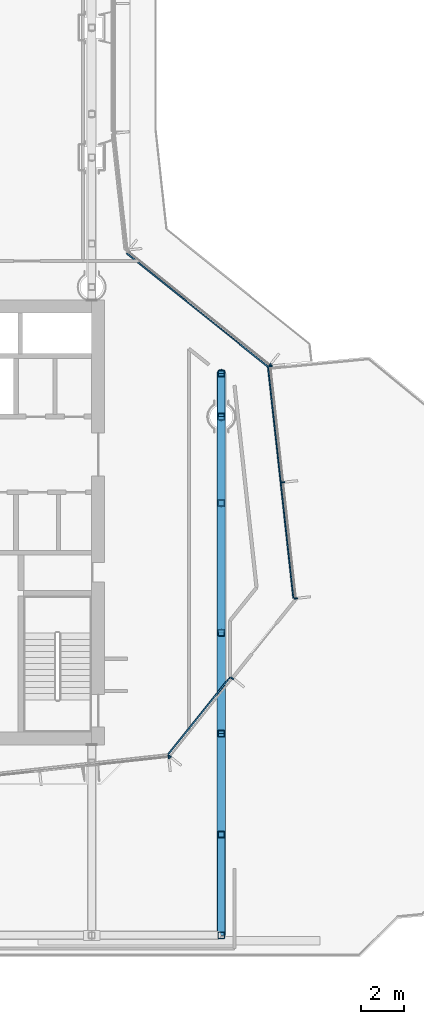
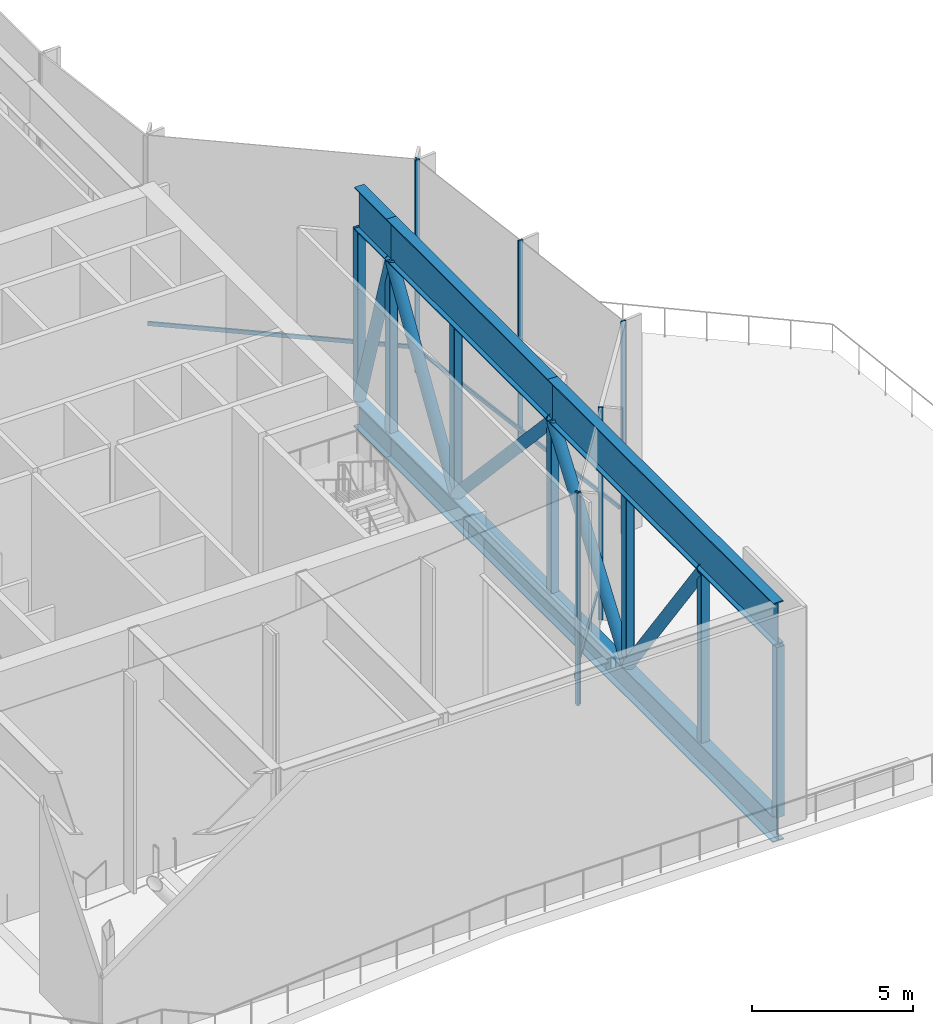
# One storey, part 4 of 22: 27 members, 4 elements without a shape of their own.
"""IFC4 building model written with IfcOpenShell, lengths in metres."""

from ifc_helpers import new_model, si_unit, direction, frame, origin, origin_2d, place, context, subcontext, project, spatial, rectangle, hollow_rectangle, hollow_circle, i_section, extrude, material, layer, layer_set, material_profile, profile_set, type_object, element, aggregate, save


model = new_model("IFC4")

# Units and contexts
model_context = context("Model", 3, precision=1e-05, world=origin(), true_north=direction((0.0, 1.0)))
body_context = subcontext(model_context, "Body", "Model", "MODEL_VIEW")
ifc_project = project(units=[si_unit("LENGTHUNIT", "METRE"), si_unit("AREAUNIT", "SQUARE_METRE"), si_unit("VOLUMEUNIT", "CUBIC_METRE"), si_unit("PLANEANGLEUNIT", "RADIAN"), si_unit("MASSUNIT", "GRAM", prefix="KILO")], contexts=[model_context])

# Site, building, storey
site_placement = place(None, origin())
site = spatial("IfcSite", under=ifc_project, at=site_placement, CompositionType="ELEMENT")
building_placement = place(site_placement, origin())
building = spatial("IfcBuilding", under=site, at=building_placement, Name="Welwitschia Terrace Campus", CompositionType="ELEMENT")
storey_placement = place(building_placement, frame((0.0, 0.0, 197.0)))
storey = spatial("IfcBuildingStorey", under=building, at=storey_placement, Name="L44", CompositionType="ELEMENT", Elevation=197.0)

# Curtain wall, members
ifc_material_1 = material(Name="Bronze anodised aluminium", Category="aluminium")
ifc_layer = layer(ifc_material_1, 0.159912109375)
ifc_layer_set = layer_set([ifc_layer], Name="Bronze anodised aluminium")
curtain_wall_type = type_object("IfcCurtainWallType", Name="Curtain wall CW3 commons 6000", PredefinedType="NOTDEFINED", material=ifc_layer_set)
curtain_wall_1_placement = place(storey_placement, origin())
curtain_wall_1 = element("IfcCurtainWall", 1, at=curtain_wall_1_placement, inside=storey, type_object=curtain_wall_type, Name="CW L44.0.0", PredefinedType="NOTDEFINED")
ifc_material_2 = material(Name="Bronze anodised aluminium", Category="aluminium")
ifc_material_profile_1 = material_profile(ifc_material_2, rectangle(XDim=0.159912109375, YDim=0.06005859375, at=origin_2d()))
ifc_profile_set_1 = profile_set([ifc_material_profile_1], Name="Bronze anodised aluminium")
member_type_1 = type_object("IfcMemberType", Name="Mullion 60x160", PredefinedType="MULLION", material=ifc_profile_set_1)
member_1_placement = place(storey_placement, frame((27.6123046875, 4.287841796875, 0.0), z_axis=(0.0, 0.0, 1.0), x_axis=(-0.779884483093, 0.625923472184, 0.0)))
member_1 = element("IfcMember", 2, at=member_1_placement, type_object=member_type_1, Name="Mullion L44.0.0.0", PredefinedType="MULLION", context=body_context, shape_type="SweptSolid", body=[
    extrude(rectangle(XDim=0.159912109375, YDim=0.06005859375, at=origin_2d()), origin(), (0.0, 0.0, 1.0), 8.050048828125),
])
member_2_placement = place(storey_placement, frame((30.502685546875, 7.888916015625, 0.0), z_axis=(0.0, 0.0, 1.0), x_axis=(-0.779884483093, 0.625923472184, 0.0)))
member_2 = element("IfcMember", 3, at=member_2_placement, type_object=member_type_1, Name="Mullion L44.0.0.1", PredefinedType="MULLION", context=body_context, shape_type="SweptSolid", body=[
    extrude(rectangle(XDim=0.159912109375, YDim=0.06005859375, at=origin_2d()), origin(), (0.0, 0.0, 1.0), 8.050048828125),
])

curtain_wall_2_placement = place(storey_placement, origin())
curtain_wall_2 = element("IfcCurtainWall", 4, at=curtain_wall_2_placement, inside=storey, type_object=curtain_wall_type, Name="CW L44.1.0", PredefinedType="NOTDEFINED")
member_3_placement = place(storey_placement, frame((33.446044921875, 11.590087890625, 0.0), z_axis=(0.0, 0.0, 1.0), x_axis=(-0.994056338222, -0.108866874852, 0.0)))
member_3 = element("IfcMember", 5, at=member_3_placement, type_object=member_type_1, Name="Mullion L44.1.0.0", PredefinedType="MULLION", context=body_context, shape_type="SweptSolid", body=[
    extrude(rectangle(XDim=0.159912109375, YDim=0.06005859375, at=origin_2d()), origin(), (0.0, 0.0, 1.0), 8.050048828125),
])
member_4_placement = place(storey_placement, frame((32.857421875, 16.962890625, 0.0), z_axis=(0.0, 0.0, 1.0), x_axis=(-0.994056338222, -0.108866874852, 0.0)))
member_4 = element("IfcMember", 6, at=member_4_placement, type_object=member_type_1, Name="Mullion L44.1.0.1", PredefinedType="MULLION", context=body_context, shape_type="SweptSolid", body=[
    extrude(rectangle(XDim=0.159912109375, YDim=0.06005859375, at=origin_2d()), origin(), (0.0, 0.0, 1.0), 8.050048828125),
])
member_5_placement = place(storey_placement, frame((32.26904296875, 22.335693359375, 0.0), z_axis=(0.0, 0.0, 1.0), x_axis=(-0.994056338222, -0.108866874852, 0.0)))
member_5 = element("IfcMember", 7, at=member_5_placement, type_object=member_type_1, Name="Mullion L44.1.0.2", PredefinedType="MULLION", context=body_context, shape_type="SweptSolid", body=[
    extrude(rectangle(XDim=0.159912109375, YDim=0.06005859375, at=origin_2d()), origin(), (0.0, 0.0, 1.0), 8.050048828125),
])

# Curtain wall, member
curtain_wall_3_placement = place(storey_placement, origin())
curtain_wall_3 = element("IfcCurtainWall", 8, at=curtain_wall_3_placement, inside=storey, type_object=curtain_wall_type, Name="CW L44.2.0", PredefinedType="NOTDEFINED")
member_6_placement = place(storey_placement, frame((32.242431640625, 22.38427734375, 0.0), z_axis=(0.0, 0.0, 1.0), x_axis=(-0.625923472184, -0.779884483093, 0.0)))
member_6 = element("IfcMember", 9, at=member_6_placement, type_object=member_type_1, Name="Mullion L44.2.0.0", PredefinedType="MULLION", context=body_context, shape_type="SweptSolid", body=[
    extrude(rectangle(XDim=0.159912109375, YDim=0.06005859375, at=origin_2d()), origin(), (0.0, 0.0, 1.0), 8.050048828125),
])

curtain_wall_4_placement = place(storey_placement, origin())
curtain_wall_4 = element("IfcCurtainWall", 10, at=curtain_wall_4_placement, inside=storey, type_object=curtain_wall_type, Name="CW L44.12.0", PredefinedType="NOTDEFINED")
member_7_placement = place(storey_placement, frame((27.563720703125, 4.260986328125, 0.0), z_axis=(0.0, 0.0, 1.0), x_axis=(-0.108866874852, 0.994056338222, 0.0)))
member_7 = element("IfcMember", 11, at=member_7_placement, type_object=member_type_1, Name="Mullion L44.12.0.2", PredefinedType="MULLION", context=body_context, shape_type="SweptSolid", body=[
    extrude(rectangle(XDim=0.159912109375, YDim=0.06005859375, at=origin_2d()), origin(), (0.0, 0.0, 1.0), 8.050048828125),
])
aggregate(curtain_wall_4, [member_7])

# Members
ifc_material_3 = material(Name="Steel S355", Category="steel")
ifc_material_profile_2 = material_profile(ifc_material_3, i_section(OverallWidth=0.39990234375, OverallDepth=1.0, WebThickness=0.034912109375, FlangeThickness=0.0400390625, at=origin_2d()))
ifc_profile_set_2 = profile_set([ifc_material_profile_2], Name="Steel S355")
member_type_2 = type_object("IfcMemberType", Name="Transfer truss C3 bottom cantilever chord WI 1000x400x35x40", PredefinedType="CHORD", material=ifc_profile_set_2)
member_8_placement = place(storey_placement, frame((30.0, 20.0, -0.5), z_axis=(0.0, 1.0, 0.0), x_axis=(-1.0, 0.0, 0.0)))
element("IfcMember", 12, at=member_8_placement, inside=storey, type_object=member_type_2, Name="Truss bottom chord", PredefinedType="CHORD", context=body_context, shape_type="SweptSolid", body=[
    extrude(i_section(OverallWidth=0.39990234375, OverallDepth=1.0, WebThickness=0.034912109375, FlangeThickness=0.0400390625, at=origin_2d()), origin(), (0.0, 0.0, 1.0), 2.0),
])
ifc_material_4 = material(Name="Steel S355", Category="steel")
ifc_material_profile_3 = material_profile(ifc_material_4, i_section(OverallWidth=0.39990234375, OverallDepth=1.0, WebThickness=0.02490234375, FlangeThickness=0.0400390625, at=origin_2d()))
ifc_profile_set_3 = profile_set([ifc_material_profile_3], Name="Steel S355")
member_type_3 = type_object("IfcMemberType", Name="Transfer truss C3 bottom chord WI 1000x400x25x40", PredefinedType="CHORD", material=ifc_profile_set_3)
member_9_placement = place(storey_placement, frame((30.0, -4.0, -0.5), z_axis=(0.0, 1.0, 0.0), x_axis=(-1.0, 0.0, 0.0)))
element("IfcMember", 13, at=member_9_placement, inside=storey, type_object=member_type_3, Name="Truss bottom chord", PredefinedType="CHORD", context=body_context, shape_type="SweptSolid", body=[
    extrude(i_section(OverallWidth=0.39990234375, OverallDepth=1.0, WebThickness=0.02490234375, FlangeThickness=0.0400390625, at=origin_2d()), origin(), (0.0, 0.0, 1.0), 24.0),
])
ifc_material_5 = material(Name="Steel S355", Category="steel")
ifc_material_profile_4 = material_profile(ifc_material_5, hollow_circle(Radius=0.203125, WallThickness=0.01611328125, at=origin_2d()))
ifc_profile_set_4 = profile_set([ifc_material_profile_4], Name="Steel S355")
member_type_4 = type_object("IfcMemberType", Name="Transfer truss C3 diagonal CHS 406.4x16", PredefinedType="BRACE", material=ifc_profile_set_4)
member_10_placement = place(storey_placement, frame((30.0, 5.333984375, 0.0), z_axis=(0.0, -0.586208016804, 0.810160577315), x_axis=(1.0, 0.0, 0.0)))
element("IfcMember", 14, at=member_10_placement, inside=storey, type_object=member_type_4, Name="Truss diagonal", PredefinedType="BRACE", context=body_context, shape_type="SweptSolid", body=[
    extrude(hollow_circle(Radius=0.203125, WallThickness=0.01611328125, at=origin_2d()), origin(), (0.0, 0.0, 1.0), 7.96142578125),
])
member_11_placement = place(storey_placement, frame((30.0, 5.333984375, 0.0), z_axis=(0.0, 0.586127496802, 0.810218833089), x_axis=(-1.0, 0.0, 0.0)))
element("IfcMember", 15, at=member_11_placement, inside=storey, type_object=member_type_4, Name="Truss diagonal", PredefinedType="BRACE", context=body_context, shape_type="SweptSolid", body=[
    extrude(hollow_circle(Radius=0.203125, WallThickness=0.01611328125, at=origin_2d()), origin(), (0.0, 0.0, 1.0), 7.960693359375),
])
member_12_placement = place(storey_placement, frame((30.0, 16.0, 0.0), z_axis=(0.0, -0.681106706671, 0.732184166811), x_axis=(1.0, 0.0, 0.0)))
element("IfcMember", 16, at=member_12_placement, inside=storey, type_object=member_type_4, Name="Truss diagonal", PredefinedType="BRACE", context=body_context, shape_type="SweptSolid", body=[
    extrude(hollow_circle(Radius=0.203125, WallThickness=0.01611328125, at=origin_2d()), origin(), (0.0, 0.0, 1.0), 8.80908203125),
])
member_13_placement = place(storey_placement, frame((30.0, 16.0, 0.0), z_axis=(0.0, 0.527037721004, 0.849841891553), x_axis=(-1.0, 0.0, 0.0)))
element("IfcMember", 17, at=member_13_placement, inside=storey, type_object=member_type_4, Name="Truss diagonal", PredefinedType="BRACE", context=body_context, shape_type="SweptSolid", body=[
    extrude(hollow_circle(Radius=0.203125, WallThickness=0.01611328125, at=origin_2d()), origin(), (0.0, 0.0, 1.0), 7.589599609375),
])
member_14_placement = place(storey_placement, frame((30.0, 22.0, 0.0), z_axis=(0.0, -0.296168365803, 0.955135749042), x_axis=(1.0, 0.0, 0.0)))
element("IfcMember", 18, at=member_14_placement, inside=storey, type_object=member_type_4, Name="Truss diagonal", PredefinedType="BRACE", context=body_context, shape_type="SweptSolid", body=[
    extrude(hollow_circle(Radius=0.203125, WallThickness=0.01611328125, at=origin_2d()), origin(), (0.0, 0.0, 1.0), 6.7529296875),
])
ifc_material_6 = material(Name="Steel S355", Category="steel")
ifc_material_profile_5 = material_profile(ifc_material_6, hollow_rectangle(XDim=0.300048828125, YDim=0.300048828125, WallThickness=0.01611328125, InnerFilletRadius=0.01611328125, OuterFilletRadius=0.02392578125, at=origin_2d()))
ifc_profile_set_5 = profile_set([ifc_material_profile_5], Name="Steel S355")
member_type_5 = type_object("IfcMemberType", Name="Transfer truss C3 post SHS 300x300x16", PredefinedType="POST", material=ifc_profile_set_5)
for number, where, z_axis, x_axis, name in (
    (19, (30.0, -4.0, 0.0), (0.0, 0.0, 1.0), (1.0, 0.0, 0.0), "Truss post"),
    (20, (30.0, 0.6669921875, 0.0), (0.0, 0.0, 1.0), (1.0, 0.0, 0.0), "Truss post"),
    (21, (30.0, 5.333984375, 0.0), (0.0, 0.0, 1.0), (1.0, 0.0, 0.0), "Truss post"),
    (22, (30.0, 10.0, 0.0), (0.0, 0.0, 1.0), (1.0, 0.0, 0.0), "Truss post"),
    (23, (30.0, 16.0, 0.0), (0.0, 0.0, 1.0), (1.0, 0.0, 0.0), "Truss post"),
    (24, (30.0, 20.0, 0.0), (0.0, 0.0, 1.0), (1.0, 0.0, 0.0), "Truss post"),
    (25, (30.0, 22.0, 0.0), (0.0, 0.0, 1.0), (1.0, 0.0, 0.0), "Truss post"),
):
    element("IfcMember", number, at=place(storey_placement, frame(where, z_axis=z_axis, x_axis=x_axis)), inside=storey, type_object=member_type_5, Name=name, PredefinedType="POST", context=body_context, shape_type="SweptSolid", body=[
        extrude(hollow_rectangle(XDim=0.300048828125, YDim=0.300048828125, WallThickness=0.01611328125, InnerFilletRadius=0.01611328125, OuterFilletRadius=0.02392578125, at=origin_2d()), origin(), (0.0, 0.0, 1.0), 6.449951171875),
    ])
ifc_material_7 = material(Name="Steel S355", Category="steel")
ifc_material_profile_6 = material_profile(ifc_material_7, i_section(OverallWidth=0.35009765625, OverallDepth=1.60009765625, WebThickness=0.034912109375, FlangeThickness=0.0400390625, at=origin_2d()))
ifc_profile_set_6 = profile_set([ifc_material_profile_6], Name="Steel S355")
member_type_6 = type_object("IfcMemberType", Name="Transfer truss C3 top cantilever chord WI 1600x350x35x40", PredefinedType="CHORD", material=ifc_profile_set_6)
member_15_placement = place(storey_placement, frame((30.0, 20.0, 7.25), z_axis=(0.0, 1.0, 0.0), x_axis=(-1.0, 0.0, 0.0)))
element("IfcMember", 26, at=member_15_placement, inside=storey, type_object=member_type_6, Name="Truss top chord", PredefinedType="CHORD", context=body_context, shape_type="SweptSolid", body=[
    extrude(i_section(OverallWidth=0.35009765625, OverallDepth=1.60009765625, WebThickness=0.034912109375, FlangeThickness=0.0400390625, at=origin_2d()), origin(), (0.0, 0.0, 1.0), 2.0),
])
ifc_material_8 = material(Name="Steel S355", Category="steel")
ifc_material_profile_7 = material_profile(ifc_material_8, i_section(OverallWidth=0.35009765625, OverallDepth=1.60009765625, WebThickness=0.02490234375, FlangeThickness=0.0400390625, at=origin_2d()))
ifc_profile_set_7 = profile_set([ifc_material_profile_7], Name="Steel S355")
member_type_7 = type_object("IfcMemberType", Name="Transfer truss C3 top chord WI 1600x350x25x40", PredefinedType="CHORD", material=ifc_profile_set_7)
member_16_placement = place(storey_placement, frame((30.0, -4.0, 7.25), z_axis=(0.0, 1.0, 0.0), x_axis=(-1.0, 0.0, 0.0)))
element("IfcMember", 27, at=member_16_placement, inside=storey, type_object=member_type_7, Name="Truss top chord", PredefinedType="CHORD", context=body_context, shape_type="SweptSolid", body=[
    extrude(i_section(OverallWidth=0.35009765625, OverallDepth=1.60009765625, WebThickness=0.02490234375, FlangeThickness=0.0400390625, at=origin_2d()), origin(), (0.0, 0.0, 1.0), 14.0),
])
member_17_placement = place(storey_placement, frame((30.0, 10.0, 7.25), z_axis=(0.0, 1.0, 0.0), x_axis=(-1.0, 0.0, 0.0)))
element("IfcMember", 28, at=member_17_placement, inside=storey, type_object=member_type_7, Name="Truss top chord", PredefinedType="CHORD", context=body_context, shape_type="SweptSolid", body=[
    extrude(i_section(OverallWidth=0.35009765625, OverallDepth=1.60009765625, WebThickness=0.02490234375, FlangeThickness=0.0400390625, at=origin_2d()), origin(), (0.0, 0.0, 1.0), 10.0),
])

# Member
ifc_material_9 = material(Name="Bronze anodised aluminium", Category="aluminium")
ifc_material_profile_8 = material_profile(ifc_material_9, rectangle(XDim=0.06005859375, YDim=0.14990234375, at=origin_2d()))
ifc_profile_set_8 = profile_set([ifc_material_profile_8], Name="Bronze anodised aluminium")
member_type_8 = type_object("IfcMemberType", Name="Transom 60x150", PredefinedType="USERDEFINED", material=ifc_profile_set_8)
member_18_placement = place(storey_placement, frame((27.54541015625, 4.3798828125, 1.0), z_axis=(0.625896336103, 0.779906261325, 0.0), x_axis=(-0.779906261325, 0.625896336103, 0.0)))
member_18 = element("IfcMember", 29, at=member_18_placement, type_object=member_type_8, Name="Transom L44.0.0", ObjectType="TRANSOM", PredefinedType="USERDEFINED", context=body_context, shape_type="SweptSolid", body=[
    extrude(rectangle(XDim=0.06005859375, YDim=0.14990234375, at=origin_2d()), origin(), (0.0, 0.0, 1.0), 4.5576171875),
])

aggregate(curtain_wall_1, [member_1, member_2, member_18])

member_19_placement = place(storey_placement, frame((33.333251953125, 11.60791015625, 1.0), z_axis=(-0.108853530576, 0.994057799568, 0.0), x_axis=(-0.994057799568, -0.108853530576, 0.0)))
member_19 = element("IfcMember", 30, at=member_19_placement, type_object=member_type_8, Name="Transom L44.1.0", ObjectType="TRANSOM", PredefinedType="USERDEFINED", context=body_context, shape_type="SweptSolid", body=[
    extrude(rectangle(XDim=0.06005859375, YDim=0.14990234375, at=origin_2d()), origin(), (0.0, 0.0, 1.0), 10.75),
])

aggregate(curtain_wall_2, [member_3, member_4, member_5, member_19])

member_20_placement = place(storey_placement, frame((32.150146484375, 22.3173828125, 1.0), z_axis=(-0.779894062659, 0.625911536105, 0.0), x_axis=(-0.625911536105, -0.779894062659, 0.0)))
member_20 = element("IfcMember", 31, at=member_20_placement, type_object=member_type_8, Name="Transom L44.2.0", ObjectType="TRANSOM", PredefinedType="USERDEFINED", context=body_context, shape_type="SweptSolid", body=[
    extrude(rectangle(XDim=0.06005859375, YDim=0.14990234375, at=origin_2d()), origin(), (0.0, 0.0, 1.0), 8.365234375),
])

aggregate(curtain_wall_3, [member_6, member_20])

save(model, "model.ifc")
